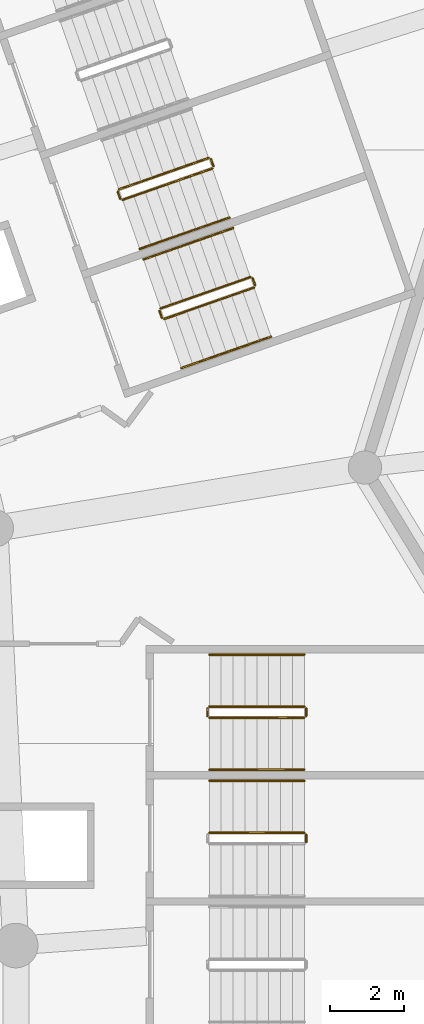
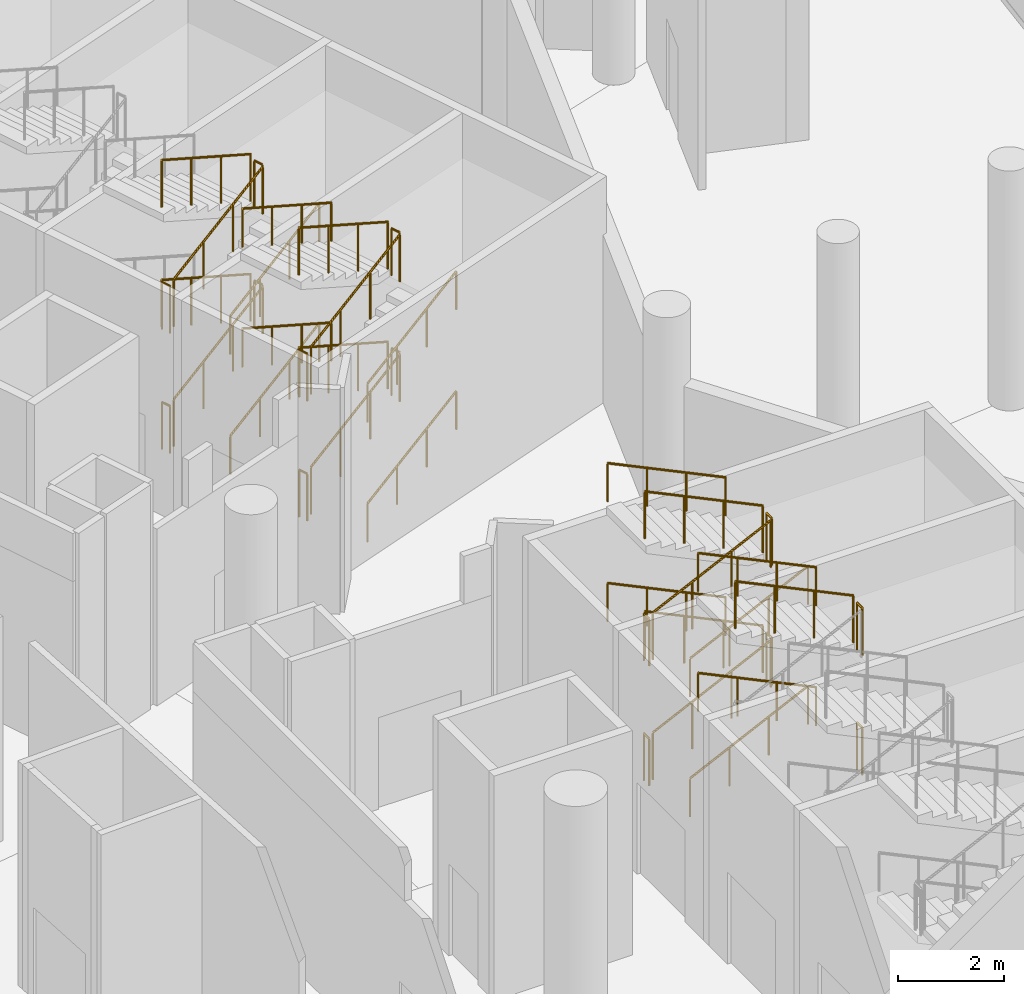
# One storey, part 264 of 271: 39 railings.
"""IFC4 building model written with IfcOpenShell, lengths in metres."""

from ifc_helpers import new_model, si_unit, direction, frame, origin, origin_2d, place, context, subcontext, project, spatial, circle, extrude, material, type_object, element, save


model = new_model("IFC4")

# Units and contexts
model_context = context("Model", 3, precision=1e-05, world=origin(), true_north=direction((0.0, 1.0)))
body_context = subcontext(model_context, "Body", "Model", "MODEL_VIEW")
ifc_project = project(units=[si_unit("LENGTHUNIT", "METRE"), si_unit("AREAUNIT", "SQUARE_METRE"), si_unit("VOLUMEUNIT", "CUBIC_METRE"), si_unit("PLANEANGLEUNIT", "RADIAN"), si_unit("MASSUNIT", "GRAM", prefix="KILO")], contexts=[model_context])

# Site, building, storey
site_placement = place(None, origin())
site = spatial("IfcSite", under=ifc_project, at=site_placement, CompositionType="ELEMENT")
building_placement = place(site_placement, origin())
building = spatial("IfcBuilding", under=site, at=building_placement, Name="Meseta Stadium", CompositionType="ELEMENT")
storey_placement = place(building_placement, frame((0.0, 0.0, 6.5)))
storey = spatial("IfcBuildingStorey", under=building, at=storey_placement, Name="L01", CompositionType="ELEMENT", Elevation=6.5)

# Railings
ifc_material_1 = material(Name="Steel S355", Category="steel")
railing_type_1 = type_object("IfcRailingType", Name="Stair guard 1100", PredefinedType="GUARDRAIL", material=ifc_material_1)
for number, where, name in (
    (1, (92.7099609375, 45.35009765625, 1.375), "ST19 L01 guard 2"),
    (2, (92.7099609375, 45.35009765625, 4.125), "ST19 L01 guard 6"),
):
    element("IfcRailing", number, at=place(storey_placement, frame(where)), inside=storey, type_object=railing_type_1, Name=name, PredefinedType="GUARDRAIL", context=body_context, shape_type="SweptSolid", body=[
        extrude(circle(Radius=0.02392578125, at=origin_2d()), frame((0.0, 0.0, 1.076171875), z_axis=(0.0, 1.0, 0.0), x_axis=(-1.0, 0.0, 0.0)), (0.0, 0.0, 1.0), 0.199951171875),
        extrude(circle(Radius=0.02099609375, at=origin_2d()), origin(), (0.0, 0.0, 1.0), 1.052001953125),
        extrude(circle(Radius=0.02099609375, at=origin_2d()), frame((0.0, 0.199951171875, 0.0)), (0.0, 0.0, 1.0), 1.052001953125),
    ])
railing_1_placement = place(storey_placement, frame((92.659912109375, 45.60009765625, 4.27783203125)))
element("IfcRailing", 3, at=railing_1_placement, inside=storey, type_object=railing_type_1, Name="ST19 L01 guard 7", PredefinedType="GUARDRAIL", context=body_context, shape_type="SweptSolid", body=[
    extrude(circle(Radius=0.02392578125, at=origin_2d()), frame((0.0, 0.0, 1.076171875), z_axis=(-0.902420958964, 0.0, 0.430855443069), x_axis=(0.0, -1.0, 0.0)), (0.0, 0.0, 1.0), 2.836669921875),
    extrude(circle(Radius=0.02099609375, at=origin_2d()), origin(), (0.0, 0.0, 1.0), 1.052001953125),
    extrude(circle(Radius=0.02099609375, at=origin_2d()), frame((-0.853271484375, 0.0, 0.407470703125)), (0.0, 0.0, 1.0), 1.052001953125),
    extrude(circle(Radius=0.02099609375, at=origin_2d()), frame((-1.70654296875, 0.0, 0.814697265625)), (0.0, 0.0, 1.0), 1.052001953125),
    extrude(circle(Radius=0.02099609375, at=origin_2d()), frame((-2.559814453125, 0.0, 1.22216796875)), (0.0, 0.0, 1.0), 1.052001953125),
])
railing_2_placement = place(storey_placement, frame((90.10009765625, 48.699951171875, 0.15283203125)))
element("IfcRailing", 4, at=railing_2_placement, inside=storey, type_object=railing_type_1, Name="ST20 L01 guard 1", PredefinedType="GUARDRAIL", context=body_context, shape_type="SweptSolid", body=[
    extrude(circle(Radius=0.02392578125, at=origin_2d()), frame((0.0, 0.0, 1.076171875), z_axis=(0.902420958964, 0.0, 0.430855443069), x_axis=(0.0, 1.0, 0.0)), (0.0, 0.0, 1.0), 2.836669921875),
    extrude(circle(Radius=0.02099609375, at=origin_2d()), origin(), (0.0, 0.0, 1.0), 1.052001953125),
    extrude(circle(Radius=0.02099609375, at=origin_2d()), frame((0.853271484375, 0.0, 0.407470703125)), (0.0, 0.0, 1.0), 1.052001953125),
    extrude(circle(Radius=0.02099609375, at=origin_2d()), frame((1.70654296875, 0.0, 0.814697265625)), (0.0, 0.0, 1.0), 1.052001953125),
    extrude(circle(Radius=0.02099609375, at=origin_2d()), frame((2.559814453125, 0.0, 1.22216796875)), (0.0, 0.0, 1.0), 1.052001953125),
])
railing_3_placement = place(storey_placement, frame((92.7099609375, 48.75, 1.375)))
element("IfcRailing", 5, at=railing_3_placement, inside=storey, type_object=railing_type_1, Name="ST20 L01 guard 2", PredefinedType="GUARDRAIL", context=body_context, shape_type="SweptSolid", body=[
    extrude(circle(Radius=0.02392578125, at=origin_2d()), frame((0.0, 0.0, 1.076171875), z_axis=(0.0, 1.0, 0.0), x_axis=(-1.0, 0.0, 0.0)), (0.0, 0.0, 1.0), 0.199951171875),
    extrude(circle(Radius=0.02099609375, at=origin_2d()), origin(), (0.0, 0.0, 1.0), 1.052001953125),
    extrude(circle(Radius=0.02099609375, at=origin_2d()), frame((0.0, 0.199951171875, 0.0)), (0.0, 0.0, 1.0), 1.052001953125),
])
railing_4_placement = place(storey_placement, frame((92.659912109375, 49.0, 1.52783203125)))
element("IfcRailing", 6, at=railing_4_placement, inside=storey, type_object=railing_type_1, Name="ST20 L01 guard 3", PredefinedType="GUARDRAIL", context=body_context, shape_type="SweptSolid", body=[
    extrude(circle(Radius=0.02392578125, at=origin_2d()), frame((0.0, 0.0, 1.076171875), z_axis=(-0.902420958964, 0.0, 0.430855443069), x_axis=(0.0, -1.0, 0.0)), (0.0, 0.0, 1.0), 2.836669921875),
    extrude(circle(Radius=0.02099609375, at=origin_2d()), origin(), (0.0, 0.0, 1.0), 1.052001953125),
    extrude(circle(Radius=0.02099609375, at=origin_2d()), frame((-0.853271484375, 0.0, 0.407470703125)), (0.0, 0.0, 1.0), 1.052001953125),
    extrude(circle(Radius=0.02099609375, at=origin_2d()), frame((-1.70654296875, 0.0, 0.814697265625)), (0.0, 0.0, 1.0), 1.052001953125),
    extrude(circle(Radius=0.02099609375, at=origin_2d()), frame((-2.559814453125, 0.0, 1.22216796875)), (0.0, 0.0, 1.0), 1.052001953125),
])
railing_5_placement = place(storey_placement, frame((90.050048828125, 48.75, 2.75)))
element("IfcRailing", 7, at=railing_5_placement, inside=storey, type_object=railing_type_1, Name="ST20 L01 guard 4", PredefinedType="GUARDRAIL", context=body_context, shape_type="SweptSolid", body=[
    extrude(circle(Radius=0.02392578125, at=origin_2d()), frame((0.0, 0.0, 1.076171875), z_axis=(0.0, 1.0, 0.0), x_axis=(-1.0, 0.0, 0.0)), (0.0, 0.0, 1.0), 0.199951171875),
    extrude(circle(Radius=0.02099609375, at=origin_2d()), origin(), (0.0, 0.0, 1.0), 1.052001953125),
    extrude(circle(Radius=0.02099609375, at=origin_2d()), frame((0.0, 0.199951171875, 0.0)), (0.0, 0.0, 1.0), 1.052001953125),
])
railing_6_placement = place(storey_placement, frame((90.10009765625, 48.699951171875, 2.90283203125)))
element("IfcRailing", 8, at=railing_6_placement, inside=storey, type_object=railing_type_1, Name="ST20 L01 guard 5", PredefinedType="GUARDRAIL", context=body_context, shape_type="SweptSolid", body=[
    extrude(circle(Radius=0.02392578125, at=origin_2d()), frame((0.0, 0.0, 1.076171875), z_axis=(0.902420958964, 0.0, 0.430855443069), x_axis=(0.0, 1.0, 0.0)), (0.0, 0.0, 1.0), 2.836669921875),
    extrude(circle(Radius=0.02099609375, at=origin_2d()), origin(), (0.0, 0.0, 1.0), 1.052001953125),
    extrude(circle(Radius=0.02099609375, at=origin_2d()), frame((0.853271484375, 0.0, 0.407470703125)), (0.0, 0.0, 1.0), 1.052001953125),
    extrude(circle(Radius=0.02099609375, at=origin_2d()), frame((1.70654296875, 0.0, 0.814697265625)), (0.0, 0.0, 1.0), 1.052001953125),
    extrude(circle(Radius=0.02099609375, at=origin_2d()), frame((2.559814453125, 0.0, 1.22216796875)), (0.0, 0.0, 1.0), 1.052001953125),
])
railing_7_placement = place(storey_placement, frame((92.7099609375, 48.75, 4.125)))
element("IfcRailing", 9, at=railing_7_placement, inside=storey, type_object=railing_type_1, Name="ST20 L01 guard 6", PredefinedType="GUARDRAIL", context=body_context, shape_type="SweptSolid", body=[
    extrude(circle(Radius=0.02392578125, at=origin_2d()), frame((0.0, 0.0, 1.076171875), z_axis=(0.0, 1.0, 0.0), x_axis=(-1.0, 0.0, 0.0)), (0.0, 0.0, 1.0), 0.199951171875),
    extrude(circle(Radius=0.02099609375, at=origin_2d()), origin(), (0.0, 0.0, 1.0), 1.052001953125),
    extrude(circle(Radius=0.02099609375, at=origin_2d()), frame((0.0, 0.199951171875, 0.0)), (0.0, 0.0, 1.0), 1.052001953125),
])
railing_8_placement = place(storey_placement, frame((92.659912109375, 49.0, 4.27783203125)))
element("IfcRailing", 10, at=railing_8_placement, inside=storey, type_object=railing_type_1, Name="ST20 L01 guard 7", PredefinedType="GUARDRAIL", context=body_context, shape_type="SweptSolid", body=[
    extrude(circle(Radius=0.02392578125, at=origin_2d()), frame((0.0, 0.0, 1.076171875), z_axis=(-0.902420958964, 0.0, 0.430855443069), x_axis=(0.0, -1.0, 0.0)), (0.0, 0.0, 1.0), 2.836669921875),
    extrude(circle(Radius=0.02099609375, at=origin_2d()), origin(), (0.0, 0.0, 1.0), 1.052001953125),
    extrude(circle(Radius=0.02099609375, at=origin_2d()), frame((-0.853271484375, 0.0, 0.407470703125)), (0.0, 0.0, 1.0), 1.052001953125),
    extrude(circle(Radius=0.02099609375, at=origin_2d()), frame((-1.70654296875, 0.0, 0.814697265625)), (0.0, 0.0, 1.0), 1.052001953125),
    extrude(circle(Radius=0.02099609375, at=origin_2d()), frame((-2.559814453125, 0.0, 1.22216796875)), (0.0, 0.0, 1.0), 1.052001953125),
])
railing_9_placement = place(storey_placement, frame((90.050048828125, 48.75, 0.0)))
element("IfcRailing", 11, at=railing_9_placement, inside=storey, type_object=railing_type_1, Name="ST20 L01 guard 8", PredefinedType="GUARDRAIL", context=body_context, shape_type="SweptSolid", body=[
    extrude(circle(Radius=0.02392578125, at=origin_2d()), frame((0.0, 0.0, 1.076171875), z_axis=(0.0, 1.0, 0.0), x_axis=(-1.0, 0.0, 0.0)), (0.0, 0.0, 1.0), 0.199951171875),
    extrude(circle(Radius=0.02099609375, at=origin_2d()), origin(), (0.0, 0.0, 1.0), 1.052001953125),
    extrude(circle(Radius=0.02099609375, at=origin_2d()), frame((0.0, 0.199951171875, 0.0)), (0.0, 0.0, 1.0), 1.052001953125),
])
railing_10_placement = place(storey_placement, frame((88.88720703125, 59.44482421875, 0.15283203125)))
element("IfcRailing", 12, at=railing_10_placement, inside=storey, type_object=railing_type_1, Name="ST21 L01 guard 1", PredefinedType="GUARDRAIL", context=body_context, shape_type="SweptSolid", body=[
    extrude(circle(Radius=0.02392578125, at=origin_2d()), frame((0.0, 0.0, 1.076171875), z_axis=(0.851812247406, 0.298022409857, 0.430811488231), x_axis=(-0.330239980492, 0.943897004595, 0.0)), (0.0, 0.0, 1.0), 2.8369140625),
    extrude(circle(Radius=0.02099609375, at=origin_2d()), origin(), (0.0, 0.0, 1.0), 1.052001953125),
    extrude(circle(Radius=0.02099609375, at=origin_2d()), frame((0.805419921875, 0.28173828125, 0.407470703125)), (0.0, 0.0, 1.0), 1.052001953125),
    extrude(circle(Radius=0.02099609375, at=origin_2d()), frame((1.611083984375, 0.563720703125, 0.814697265625)), (0.0, 0.0, 1.0), 1.052001953125),
    extrude(circle(Radius=0.02099609375, at=origin_2d()), frame((2.41650390625, 0.845458984375, 1.22216796875)), (0.0, 0.0, 1.0), 1.052001953125),
])
railing_11_placement = place(storey_placement, frame((91.334228515625, 60.35400390625, 1.375)))
element("IfcRailing", 13, at=railing_11_placement, inside=storey, type_object=railing_type_1, Name="ST21 L01 guard 2", PredefinedType="GUARDRAIL", context=body_context, shape_type="SweptSolid", body=[
    extrude(circle(Radius=0.02392578125, at=origin_2d()), frame((0.0, 0.0, 1.076171875), z_axis=(-0.329751946816, 0.944067610699, 0.0), x_axis=(-0.944067610699, -0.329751946816, 0.0)), (0.0, 0.0, 1.0), 0.199951171875),
    extrude(circle(Radius=0.02099609375, at=origin_2d()), origin(), (0.0, 0.0, 1.0), 1.052001953125),
    extrude(circle(Radius=0.02099609375, at=origin_2d()), frame((-0.06591796875, 0.188720703125, 0.0)), (0.0, 0.0, 1.0), 1.052001953125),
])
railing_12_placement = place(storey_placement, frame((91.20458984375, 60.573486328125, 1.52783203125)))
element("IfcRailing", 14, at=railing_12_placement, inside=storey, type_object=railing_type_1, Name="ST21 L01 guard 3", PredefinedType="GUARDRAIL", context=body_context, shape_type="SweptSolid", body=[
    extrude(circle(Radius=0.02392578125, at=origin_2d()), frame((0.0, 0.0, 1.076171875), z_axis=(-0.851812247406, -0.298022409857, 0.430811488231), x_axis=(0.330239980492, -0.943897004595, 0.0)), (0.0, 0.0, 1.0), 2.8369140625),
    extrude(circle(Radius=0.02099609375, at=origin_2d()), origin(), (0.0, 0.0, 1.0), 1.052001953125),
    extrude(circle(Radius=0.02099609375, at=origin_2d()), frame((-0.805419921875, -0.28173828125, 0.407470703125)), (0.0, 0.0, 1.0), 1.052001953125),
    extrude(circle(Radius=0.02099609375, at=origin_2d()), frame((-1.611083984375, -0.563720703125, 0.814697265625)), (0.0, 0.0, 1.0), 1.052001953125),
    extrude(circle(Radius=0.02099609375, at=origin_2d()), frame((-2.41650390625, -0.845458984375, 1.22216796875)), (0.0, 0.0, 1.0), 1.052001953125),
])
railing_13_placement = place(storey_placement, frame((88.823486328125, 59.475341796875, 2.75)))
element("IfcRailing", 15, at=railing_13_placement, inside=storey, type_object=railing_type_1, Name="ST21 L01 guard 4", PredefinedType="GUARDRAIL", context=body_context, shape_type="SweptSolid", body=[
    extrude(circle(Radius=0.02392578125, at=origin_2d()), frame((0.0, 0.0, 1.076171875), z_axis=(-0.329372156318, 0.944200181446, 0.0), x_axis=(-0.944200181446, -0.329372156318, 0.0)), (0.0, 0.0, 1.0), 0.2001953125),
    extrude(circle(Radius=0.02099609375, at=origin_2d()), origin(), (0.0, 0.0, 1.0), 1.052001953125),
    extrude(circle(Radius=0.02099609375, at=origin_2d()), frame((-0.06591796875, 0.18896484375, 0.0)), (0.0, 0.0, 1.0), 1.052001953125),
])
railing_14_placement = place(storey_placement, frame((88.88720703125, 59.44482421875, 2.90283203125)))
element("IfcRailing", 16, at=railing_14_placement, inside=storey, type_object=railing_type_1, Name="ST21 L01 guard 5", PredefinedType="GUARDRAIL", context=body_context, shape_type="SweptSolid", body=[
    extrude(circle(Radius=0.02392578125, at=origin_2d()), frame((0.0, 0.0, 1.076171875), z_axis=(0.851812247406, 0.298022409857, 0.430811488231), x_axis=(-0.330239980492, 0.943897004595, 0.0)), (0.0, 0.0, 1.0), 2.8369140625),
    extrude(circle(Radius=0.02099609375, at=origin_2d()), origin(), (0.0, 0.0, 1.0), 1.052001953125),
    extrude(circle(Radius=0.02099609375, at=origin_2d()), frame((0.805419921875, 0.28173828125, 0.407470703125)), (0.0, 0.0, 1.0), 1.052001953125),
    extrude(circle(Radius=0.02099609375, at=origin_2d()), frame((1.611083984375, 0.563720703125, 0.814697265625)), (0.0, 0.0, 1.0), 1.052001953125),
    extrude(circle(Radius=0.02099609375, at=origin_2d()), frame((2.41650390625, 0.845458984375, 1.22216796875)), (0.0, 0.0, 1.0), 1.052001953125),
])
railing_15_placement = place(storey_placement, frame((91.334228515625, 60.35400390625, 4.125)))
element("IfcRailing", 17, at=railing_15_placement, inside=storey, type_object=railing_type_1, Name="ST21 L01 guard 6", PredefinedType="GUARDRAIL", context=body_context, shape_type="SweptSolid", body=[
    extrude(circle(Radius=0.02392578125, at=origin_2d()), frame((0.0, 0.0, 1.076171875), z_axis=(-0.329751946816, 0.944067610699, 0.0), x_axis=(-0.944067610699, -0.329751946816, 0.0)), (0.0, 0.0, 1.0), 0.199951171875),
    extrude(circle(Radius=0.02099609375, at=origin_2d()), origin(), (0.0, 0.0, 1.0), 1.052001953125),
    extrude(circle(Radius=0.02099609375, at=origin_2d()), frame((-0.06591796875, 0.188720703125, 0.0)), (0.0, 0.0, 1.0), 1.052001953125),
])
railing_16_placement = place(storey_placement, frame((91.20458984375, 60.573486328125, 4.27783203125)))
element("IfcRailing", 18, at=railing_16_placement, inside=storey, type_object=railing_type_1, Name="ST21 L01 guard 7", PredefinedType="GUARDRAIL", context=body_context, shape_type="SweptSolid", body=[
    extrude(circle(Radius=0.02392578125, at=origin_2d()), frame((0.0, 0.0, 1.076171875), z_axis=(-0.851812247406, -0.298022409857, 0.430811488231), x_axis=(0.330239980492, -0.943897004595, 0.0)), (0.0, 0.0, 1.0), 2.8369140625),
    extrude(circle(Radius=0.02099609375, at=origin_2d()), origin(), (0.0, 0.0, 1.0), 1.052001953125),
    extrude(circle(Radius=0.02099609375, at=origin_2d()), frame((-0.805419921875, -0.28173828125, 0.407470703125)), (0.0, 0.0, 1.0), 1.052001953125),
    extrude(circle(Radius=0.02099609375, at=origin_2d()), frame((-1.611083984375, -0.563720703125, 0.814697265625)), (0.0, 0.0, 1.0), 1.052001953125),
    extrude(circle(Radius=0.02099609375, at=origin_2d()), frame((-2.41650390625, -0.845458984375, 1.22216796875)), (0.0, 0.0, 1.0), 1.052001953125),
])
railing_17_placement = place(storey_placement, frame((88.823486328125, 59.475341796875, 0.0)))
element("IfcRailing", 19, at=railing_17_placement, inside=storey, type_object=railing_type_1, Name="ST21 L01 guard 8", PredefinedType="GUARDRAIL", context=body_context, shape_type="SweptSolid", body=[
    extrude(circle(Radius=0.02392578125, at=origin_2d()), frame((0.0, 0.0, 1.076171875), z_axis=(-0.329372156318, 0.944200181446, 0.0), x_axis=(-0.944200181446, -0.329372156318, 0.0)), (0.0, 0.0, 1.0), 0.2001953125),
    extrude(circle(Radius=0.02099609375, at=origin_2d()), origin(), (0.0, 0.0, 1.0), 1.052001953125),
    extrude(circle(Radius=0.02099609375, at=origin_2d()), frame((-0.06591796875, 0.18896484375, 0.0)), (0.0, 0.0, 1.0), 1.052001953125),
])
railing_18_placement = place(storey_placement, frame((87.764404296875, 62.654052734375, 0.15283203125)))
element("IfcRailing", 20, at=railing_18_placement, inside=storey, type_object=railing_type_1, Name="ST22 L01 guard 1", PredefinedType="GUARDRAIL", context=body_context, shape_type="SweptSolid", body=[
    extrude(circle(Radius=0.02392578125, at=origin_2d()), frame((0.0, 0.0, 1.076171875), z_axis=(0.851788628844, 0.298044258026, 0.430843071233), x_axis=(-0.330269708658, 0.943886603116, 0.0)), (0.0, 0.0, 1.0), 2.836669921875),
    extrude(circle(Radius=0.02099609375, at=origin_2d()), origin(), (0.0, 0.0, 1.0), 1.052001953125),
    extrude(circle(Radius=0.02099609375, at=origin_2d()), frame((0.805419921875, 0.28173828125, 0.407470703125)), (0.0, 0.0, 1.0), 1.052001953125),
    extrude(circle(Radius=0.02099609375, at=origin_2d()), frame((1.61083984375, 0.563720703125, 0.814697265625)), (0.0, 0.0, 1.0), 1.052001953125),
    extrude(circle(Radius=0.02099609375, at=origin_2d()), frame((2.416259765625, 0.845458984375, 1.22216796875)), (0.0, 0.0, 1.0), 1.052001953125),
])
railing_19_placement = place(storey_placement, frame((90.21142578125, 63.563232421875, 1.375)))
element("IfcRailing", 21, at=railing_19_placement, inside=storey, type_object=railing_type_1, Name="ST22 L01 guard 2", PredefinedType="GUARDRAIL", context=body_context, shape_type="SweptSolid", body=[
    extrude(circle(Radius=0.02392578125, at=origin_2d()), frame((0.0, 0.0, 1.076171875), z_axis=(-0.330839792317, 0.943686935281, 0.0), x_axis=(-0.943686935281, -0.330839792317, 0.0)), (0.0, 0.0, 1.0), 0.199951171875),
    extrude(circle(Radius=0.02099609375, at=origin_2d()), origin(), (0.0, 0.0, 1.0), 1.052001953125),
    extrude(circle(Radius=0.02099609375, at=origin_2d()), frame((-0.066162109375, 0.188720703125, 0.0)), (0.0, 0.0, 1.0), 1.052001953125),
])
railing_20_placement = place(storey_placement, frame((90.08154296875, 63.78271484375, 1.52783203125)))
element("IfcRailing", 22, at=railing_20_placement, inside=storey, type_object=railing_type_1, Name="ST22 L01 guard 3", PredefinedType="GUARDRAIL", context=body_context, shape_type="SweptSolid", body=[
    extrude(circle(Radius=0.02392578125, at=origin_2d()), frame((0.0, 0.0, 1.076171875), z_axis=(-0.851788628844, -0.298044258026, 0.430843071233), x_axis=(0.330269708658, -0.943886603116, 0.0)), (0.0, 0.0, 1.0), 2.836669921875),
    extrude(circle(Radius=0.02099609375, at=origin_2d()), origin(), (0.0, 0.0, 1.0), 1.052001953125),
    extrude(circle(Radius=0.02099609375, at=origin_2d()), frame((-0.805419921875, -0.28173828125, 0.407470703125)), (0.0, 0.0, 1.0), 1.052001953125),
    extrude(circle(Radius=0.02099609375, at=origin_2d()), frame((-1.61083984375, -0.563720703125, 0.814697265625)), (0.0, 0.0, 1.0), 1.052001953125),
    extrude(circle(Radius=0.02099609375, at=origin_2d()), frame((-2.416259765625, -0.845458984375, 1.22216796875)), (0.0, 0.0, 1.0), 1.052001953125),
])
railing_21_placement = place(storey_placement, frame((87.70068359375, 62.6845703125, 2.75)))
element("IfcRailing", 23, at=railing_21_placement, inside=storey, type_object=railing_type_1, Name="ST22 L01 guard 4", PredefinedType="GUARDRAIL", context=body_context, shape_type="SweptSolid", body=[
    extrude(circle(Radius=0.02392578125, at=origin_2d()), frame((0.0, 0.0, 1.076171875), z_axis=(-0.330459055601, 0.943820328543, 0.0), x_axis=(-0.943820328543, -0.330459055601, 0.0)), (0.0, 0.0, 1.0), 0.2001953125),
    extrude(circle(Radius=0.02099609375, at=origin_2d()), origin(), (0.0, 0.0, 1.0), 1.052001953125),
    extrude(circle(Radius=0.02099609375, at=origin_2d()), frame((-0.066162109375, 0.18896484375, 0.0)), (0.0, 0.0, 1.0), 1.052001953125),
])
railing_22_placement = place(storey_placement, frame((87.764404296875, 62.654052734375, 2.90283203125)))
element("IfcRailing", 24, at=railing_22_placement, inside=storey, type_object=railing_type_1, Name="ST22 L01 guard 5", PredefinedType="GUARDRAIL", context=body_context, shape_type="SweptSolid", body=[
    extrude(circle(Radius=0.02392578125, at=origin_2d()), frame((0.0, 0.0, 1.076171875), z_axis=(0.851788628844, 0.298044258026, 0.430843071233), x_axis=(-0.330269708658, 0.943886603116, 0.0)), (0.0, 0.0, 1.0), 2.836669921875),
    extrude(circle(Radius=0.02099609375, at=origin_2d()), origin(), (0.0, 0.0, 1.0), 1.052001953125),
    extrude(circle(Radius=0.02099609375, at=origin_2d()), frame((0.805419921875, 0.28173828125, 0.407470703125)), (0.0, 0.0, 1.0), 1.052001953125),
    extrude(circle(Radius=0.02099609375, at=origin_2d()), frame((1.61083984375, 0.563720703125, 0.814697265625)), (0.0, 0.0, 1.0), 1.052001953125),
    extrude(circle(Radius=0.02099609375, at=origin_2d()), frame((2.416259765625, 0.845458984375, 1.22216796875)), (0.0, 0.0, 1.0), 1.052001953125),
])
railing_23_placement = place(storey_placement, frame((90.21142578125, 63.563232421875, 4.125)))
element("IfcRailing", 25, at=railing_23_placement, inside=storey, type_object=railing_type_1, Name="ST22 L01 guard 6", PredefinedType="GUARDRAIL", context=body_context, shape_type="SweptSolid", body=[
    extrude(circle(Radius=0.02392578125, at=origin_2d()), frame((0.0, 0.0, 1.076171875), z_axis=(-0.330839792317, 0.943686935281, 0.0), x_axis=(-0.943686935281, -0.330839792317, 0.0)), (0.0, 0.0, 1.0), 0.199951171875),
    extrude(circle(Radius=0.02099609375, at=origin_2d()), origin(), (0.0, 0.0, 1.0), 1.052001953125),
    extrude(circle(Radius=0.02099609375, at=origin_2d()), frame((-0.066162109375, 0.188720703125, 0.0)), (0.0, 0.0, 1.0), 1.052001953125),
])
railing_24_placement = place(storey_placement, frame((90.08154296875, 63.78271484375, 4.27783203125)))
element("IfcRailing", 26, at=railing_24_placement, inside=storey, type_object=railing_type_1, Name="ST22 L01 guard 7", PredefinedType="GUARDRAIL", context=body_context, shape_type="SweptSolid", body=[
    extrude(circle(Radius=0.02392578125, at=origin_2d()), frame((0.0, 0.0, 1.076171875), z_axis=(-0.851788628844, -0.298044258026, 0.430843071233), x_axis=(0.330269708658, -0.943886603116, 0.0)), (0.0, 0.0, 1.0), 2.836669921875),
    extrude(circle(Radius=0.02099609375, at=origin_2d()), origin(), (0.0, 0.0, 1.0), 1.052001953125),
    extrude(circle(Radius=0.02099609375, at=origin_2d()), frame((-0.805419921875, -0.28173828125, 0.407470703125)), (0.0, 0.0, 1.0), 1.052001953125),
    extrude(circle(Radius=0.02099609375, at=origin_2d()), frame((-1.61083984375, -0.563720703125, 0.814697265625)), (0.0, 0.0, 1.0), 1.052001953125),
    extrude(circle(Radius=0.02099609375, at=origin_2d()), frame((-2.416259765625, -0.845458984375, 1.22216796875)), (0.0, 0.0, 1.0), 1.052001953125),
])
railing_25_placement = place(storey_placement, frame((87.70068359375, 62.6845703125, 0.0)))
element("IfcRailing", 27, at=railing_25_placement, inside=storey, type_object=railing_type_1, Name="ST22 L01 guard 8", PredefinedType="GUARDRAIL", context=body_context, shape_type="SweptSolid", body=[
    extrude(circle(Radius=0.02392578125, at=origin_2d()), frame((0.0, 0.0, 1.076171875), z_axis=(-0.330459055601, 0.943820328543, 0.0), x_axis=(-0.943820328543, -0.330459055601, 0.0)), (0.0, 0.0, 1.0), 0.2001953125),
    extrude(circle(Radius=0.02099609375, at=origin_2d()), origin(), (0.0, 0.0, 1.0), 1.052001953125),
    extrude(circle(Radius=0.02099609375, at=origin_2d()), frame((-0.066162109375, 0.18896484375, 0.0)), (0.0, 0.0, 1.0), 1.052001953125),
])
ifc_material_2 = material(Name="Steel S355", Category="steel")
railing_type_2 = type_object("IfcRailingType", Name="Stair handrail 900", PredefinedType="HANDRAIL", material=ifc_material_2)
for number, where, name in (
    (28, (92.659912109375, 47.0, 1.52783203125), "ST19 L01 handrail 2"),
    (29, (92.659912109375, 47.0, 4.27783203125), "ST19 L01 handrail 4"),
):
    element("IfcRailing", number, at=place(storey_placement, frame(where)), inside=storey, type_object=railing_type_2, Name=name, PredefinedType="HANDRAIL", context=body_context, shape_type="SweptSolid", body=[
        extrude(circle(Radius=0.02392578125, at=origin_2d()), frame((0.0, 0.0, 0.8759765625), z_axis=(-0.902420958964, 0.0, 0.430855443069), x_axis=(0.0, -1.0, 0.0)), (0.0, 0.0, 1.0), 2.836669921875),
        extrude(circle(Radius=0.02099609375, at=origin_2d()), origin(), (0.0, 0.0, 1.0), 0.851806640625),
        extrude(circle(Radius=0.02099609375, at=origin_2d()), frame((-0.853271484375, 0.0, 0.407470703125)), (0.0, 0.0, 1.0), 0.851806640625),
        extrude(circle(Radius=0.02099609375, at=origin_2d()), frame((-1.70654296875, 0.0, 0.814697265625)), (0.0, 0.0, 1.0), 0.851806640625),
        extrude(circle(Radius=0.02099609375, at=origin_2d()), frame((-2.559814453125, 0.0, 1.22216796875)), (0.0, 0.0, 1.0), 0.851806640625),
    ])
railing_26_placement = place(storey_placement, frame((90.10009765625, 47.300048828125, 0.15283203125)))
element("IfcRailing", 30, at=railing_26_placement, inside=storey, type_object=railing_type_2, Name="ST20 L01 handrail 1", PredefinedType="HANDRAIL", context=body_context, shape_type="SweptSolid", body=[
    extrude(circle(Radius=0.02392578125, at=origin_2d()), frame((0.0, 0.0, 0.8759765625), z_axis=(0.902420958964, 0.0, 0.430855443069), x_axis=(0.0, 1.0, 0.0)), (0.0, 0.0, 1.0), 2.836669921875),
    extrude(circle(Radius=0.02099609375, at=origin_2d()), origin(), (0.0, 0.0, 1.0), 0.851806640625),
    extrude(circle(Radius=0.02099609375, at=origin_2d()), frame((0.853271484375, 0.0, 0.407470703125)), (0.0, 0.0, 1.0), 0.851806640625),
    extrude(circle(Radius=0.02099609375, at=origin_2d()), frame((1.70654296875, 0.0, 0.814697265625)), (0.0, 0.0, 1.0), 0.851806640625),
    extrude(circle(Radius=0.02099609375, at=origin_2d()), frame((2.559814453125, 0.0, 1.22216796875)), (0.0, 0.0, 1.0), 0.851806640625),
])
railing_27_placement = place(storey_placement, frame((92.659912109375, 50.39990234375, 1.52783203125)))
element("IfcRailing", 31, at=railing_27_placement, inside=storey, type_object=railing_type_2, Name="ST20 L01 handrail 2", PredefinedType="HANDRAIL", context=body_context, shape_type="SweptSolid", body=[
    extrude(circle(Radius=0.02392578125, at=origin_2d()), frame((0.0, 0.0, 0.8759765625), z_axis=(-0.902420958964, 0.0, 0.430855443069), x_axis=(0.0, -1.0, 0.0)), (0.0, 0.0, 1.0), 2.836669921875),
    extrude(circle(Radius=0.02099609375, at=origin_2d()), origin(), (0.0, 0.0, 1.0), 0.851806640625),
    extrude(circle(Radius=0.02099609375, at=origin_2d()), frame((-0.853271484375, 0.0, 0.407470703125)), (0.0, 0.0, 1.0), 0.851806640625),
    extrude(circle(Radius=0.02099609375, at=origin_2d()), frame((-1.70654296875, 0.0, 0.814697265625)), (0.0, 0.0, 1.0), 0.851806640625),
    extrude(circle(Radius=0.02099609375, at=origin_2d()), frame((-2.559814453125, 0.0, 1.22216796875)), (0.0, 0.0, 1.0), 0.851806640625),
])
railing_28_placement = place(storey_placement, frame((90.10009765625, 47.300048828125, 2.90283203125)))
element("IfcRailing", 32, at=railing_28_placement, inside=storey, type_object=railing_type_2, Name="ST20 L01 handrail 3", PredefinedType="HANDRAIL", context=body_context, shape_type="SweptSolid", body=[
    extrude(circle(Radius=0.02392578125, at=origin_2d()), frame((0.0, 0.0, 0.8759765625), z_axis=(0.902420958964, 0.0, 0.430855443069), x_axis=(0.0, 1.0, 0.0)), (0.0, 0.0, 1.0), 2.836669921875),
    extrude(circle(Radius=0.02099609375, at=origin_2d()), origin(), (0.0, 0.0, 1.0), 0.851806640625),
    extrude(circle(Radius=0.02099609375, at=origin_2d()), frame((0.853271484375, 0.0, 0.407470703125)), (0.0, 0.0, 1.0), 0.851806640625),
    extrude(circle(Radius=0.02099609375, at=origin_2d()), frame((1.70654296875, 0.0, 0.814697265625)), (0.0, 0.0, 1.0), 0.851806640625),
    extrude(circle(Radius=0.02099609375, at=origin_2d()), frame((2.559814453125, 0.0, 1.22216796875)), (0.0, 0.0, 1.0), 0.851806640625),
])
railing_29_placement = place(storey_placement, frame((92.659912109375, 50.39990234375, 4.27783203125)))
element("IfcRailing", 33, at=railing_29_placement, inside=storey, type_object=railing_type_2, Name="ST20 L01 handrail 4", PredefinedType="HANDRAIL", context=body_context, shape_type="SweptSolid", body=[
    extrude(circle(Radius=0.02392578125, at=origin_2d()), frame((0.0, 0.0, 0.8759765625), z_axis=(-0.902420958964, 0.0, 0.430855443069), x_axis=(0.0, -1.0, 0.0)), (0.0, 0.0, 1.0), 2.836669921875),
    extrude(circle(Radius=0.02099609375, at=origin_2d()), origin(), (0.0, 0.0, 1.0), 0.851806640625),
    extrude(circle(Radius=0.02099609375, at=origin_2d()), frame((-0.853271484375, 0.0, 0.407470703125)), (0.0, 0.0, 1.0), 0.851806640625),
    extrude(circle(Radius=0.02099609375, at=origin_2d()), frame((-1.70654296875, 0.0, 0.814697265625)), (0.0, 0.0, 1.0), 0.851806640625),
    extrude(circle(Radius=0.02099609375, at=origin_2d()), frame((-2.559814453125, 0.0, 1.22216796875)), (0.0, 0.0, 1.0), 0.851806640625),
])
railing_30_placement = place(storey_placement, frame((89.349609375, 58.123291015625, 0.15283203125)))
element("IfcRailing", 34, at=railing_30_placement, inside=storey, type_object=railing_type_2, Name="ST21 L01 handrail 1", PredefinedType="HANDRAIL", context=body_context, shape_type="SweptSolid", body=[
    extrude(circle(Radius=0.02392578125, at=origin_2d()), frame((0.0, 0.0, 0.8759765625), z_axis=(0.851812247406, 0.298022409857, 0.430811488231), x_axis=(-0.330239980492, 0.943897004595, 0.0)), (0.0, 0.0, 1.0), 2.8369140625),
    extrude(circle(Radius=0.02099609375, at=origin_2d()), origin(), (0.0, 0.0, 1.0), 0.851806640625),
    extrude(circle(Radius=0.02099609375, at=origin_2d()), frame((0.805419921875, 0.28173828125, 0.407470703125)), (0.0, 0.0, 1.0), 0.851806640625),
    extrude(circle(Radius=0.02099609375, at=origin_2d()), frame((1.611083984375, 0.563720703125, 0.814697265625)), (0.0, 0.0, 1.0), 0.851806640625),
    extrude(circle(Radius=0.02099609375, at=origin_2d()), frame((2.41650390625, 0.845458984375, 1.22216796875)), (0.0, 0.0, 1.0), 0.851806640625),
])
railing_31_placement = place(storey_placement, frame((90.7421875, 61.894775390625, 1.52783203125)))
element("IfcRailing", 35, at=railing_31_placement, inside=storey, type_object=railing_type_2, Name="ST21 L01 handrail 2", PredefinedType="HANDRAIL", context=body_context, shape_type="SweptSolid", body=[
    extrude(circle(Radius=0.02392578125, at=origin_2d()), frame((0.0, 0.0, 0.8759765625), z_axis=(-0.851812247406, -0.298022409857, 0.430811488231), x_axis=(0.330239980492, -0.943897004595, 0.0)), (0.0, 0.0, 1.0), 2.8369140625),
    extrude(circle(Radius=0.02099609375, at=origin_2d()), origin(), (0.0, 0.0, 1.0), 0.851806640625),
    extrude(circle(Radius=0.02099609375, at=origin_2d()), frame((-0.805419921875, -0.28173828125, 0.407470703125)), (0.0, 0.0, 1.0), 0.851806640625),
    extrude(circle(Radius=0.02099609375, at=origin_2d()), frame((-1.611083984375, -0.563720703125, 0.814697265625)), (0.0, 0.0, 1.0), 0.851806640625),
    extrude(circle(Radius=0.02099609375, at=origin_2d()), frame((-2.41650390625, -0.845458984375, 1.22216796875)), (0.0, 0.0, 1.0), 0.851806640625),
])
railing_32_placement = place(storey_placement, frame((89.349609375, 58.123291015625, 2.90283203125)))
element("IfcRailing", 36, at=railing_32_placement, inside=storey, type_object=railing_type_2, Name="ST21 L01 handrail 3", PredefinedType="HANDRAIL", context=body_context, shape_type="SweptSolid", body=[
    extrude(circle(Radius=0.02392578125, at=origin_2d()), frame((0.0, 0.0, 0.8759765625), z_axis=(0.851812247406, 0.298022409857, 0.430811488231), x_axis=(-0.330239980492, 0.943897004595, 0.0)), (0.0, 0.0, 1.0), 2.8369140625),
    extrude(circle(Radius=0.02099609375, at=origin_2d()), origin(), (0.0, 0.0, 1.0), 0.851806640625),
    extrude(circle(Radius=0.02099609375, at=origin_2d()), frame((0.805419921875, 0.28173828125, 0.407470703125)), (0.0, 0.0, 1.0), 0.851806640625),
    extrude(circle(Radius=0.02099609375, at=origin_2d()), frame((1.611083984375, 0.563720703125, 0.814697265625)), (0.0, 0.0, 1.0), 0.851806640625),
    extrude(circle(Radius=0.02099609375, at=origin_2d()), frame((2.41650390625, 0.845458984375, 1.22216796875)), (0.0, 0.0, 1.0), 0.851806640625),
])
railing_33_placement = place(storey_placement, frame((90.7421875, 61.894775390625, 4.27783203125)))
element("IfcRailing", 37, at=railing_33_placement, inside=storey, type_object=railing_type_2, Name="ST21 L01 handrail 4", PredefinedType="HANDRAIL", context=body_context, shape_type="SweptSolid", body=[
    extrude(circle(Radius=0.02392578125, at=origin_2d()), frame((0.0, 0.0, 0.8759765625), z_axis=(-0.851812247406, -0.298022409857, 0.430811488231), x_axis=(0.330239980492, -0.943897004595, 0.0)), (0.0, 0.0, 1.0), 2.8369140625),
    extrude(circle(Radius=0.02099609375, at=origin_2d()), origin(), (0.0, 0.0, 1.0), 0.851806640625),
    extrude(circle(Radius=0.02099609375, at=origin_2d()), frame((-0.805419921875, -0.28173828125, 0.407470703125)), (0.0, 0.0, 1.0), 0.851806640625),
    extrude(circle(Radius=0.02099609375, at=origin_2d()), frame((-1.611083984375, -0.563720703125, 0.814697265625)), (0.0, 0.0, 1.0), 0.851806640625),
    extrude(circle(Radius=0.02099609375, at=origin_2d()), frame((-2.41650390625, -0.845458984375, 1.22216796875)), (0.0, 0.0, 1.0), 0.851806640625),
])
for number, where, name in (
    (38, (88.226806640625, 61.33251953125, 0.15283203125), "ST22 L01 handrail 1"),
    (39, (88.226806640625, 61.33251953125, 2.90283203125), "ST22 L01 handrail 3"),
):
    element("IfcRailing", number, at=place(storey_placement, frame(where)), inside=storey, type_object=railing_type_2, Name=name, PredefinedType="HANDRAIL", context=body_context, shape_type="SweptSolid", body=[
        extrude(circle(Radius=0.02392578125, at=origin_2d()), frame((0.0, 0.0, 0.8759765625), z_axis=(0.851788628844, 0.298044258026, 0.430843071233), x_axis=(-0.330269708658, 0.943886603116, 0.0)), (0.0, 0.0, 1.0), 2.836669921875),
        extrude(circle(Radius=0.02099609375, at=origin_2d()), origin(), (0.0, 0.0, 1.0), 0.851806640625),
        extrude(circle(Radius=0.02099609375, at=origin_2d()), frame((0.805419921875, 0.28173828125, 0.407470703125)), (0.0, 0.0, 1.0), 0.851806640625),
        extrude(circle(Radius=0.02099609375, at=origin_2d()), frame((1.61083984375, 0.563720703125, 0.814697265625)), (0.0, 0.0, 1.0), 0.851806640625),
        extrude(circle(Radius=0.02099609375, at=origin_2d()), frame((2.416259765625, 0.845458984375, 1.22216796875)), (0.0, 0.0, 1.0), 0.851806640625),
    ])

save(model, "model.ifc")
